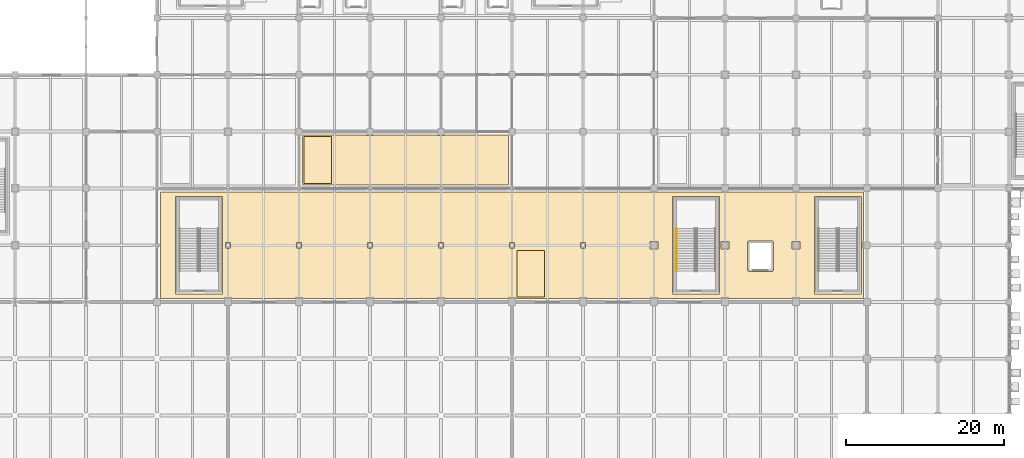
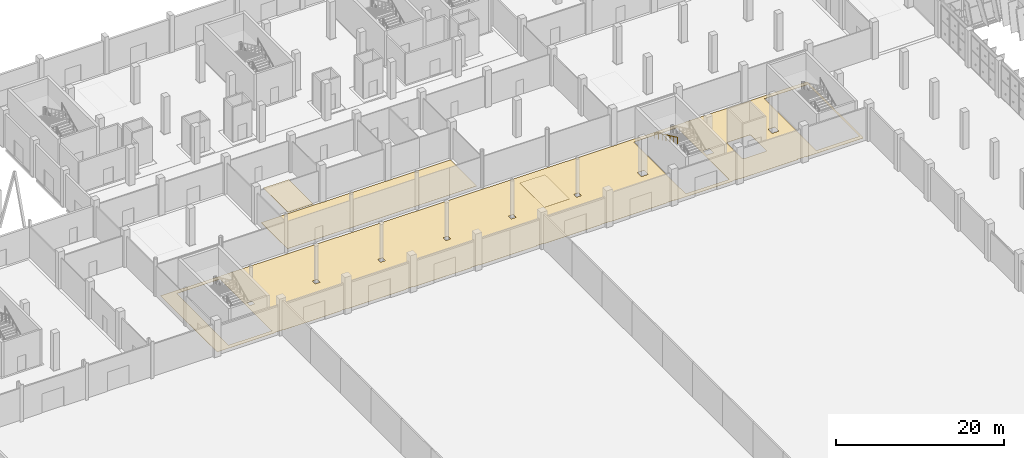
# One storey, part 112 of 137: 4 coverings, 1 railing.
"""IFC4 building model written with IfcOpenShell, lengths in metres."""

from ifc_helpers import new_model, si_unit, direction, frame, origin, origin_2d, place, context, subcontext, project, spatial, polyline, circle, outline, extrude, material, layer, layer_set, type_object, element, save


model = new_model("IFC4")

# Units and contexts
model_context = context("Model", 3, precision=1e-05, world=origin(), true_north=direction((0.0, 1.0)))
body_context = subcontext(model_context, "Body", "Model", "MODEL_VIEW")
ifc_project = project(units=[si_unit("LENGTHUNIT", "METRE"), si_unit("AREAUNIT", "SQUARE_METRE"), si_unit("VOLUMEUNIT", "CUBIC_METRE"), si_unit("PLANEANGLEUNIT", "RADIAN"), si_unit("MASSUNIT", "GRAM", prefix="KILO")], contexts=[model_context])

# Site, building, storey
site_placement = place(None, origin())
site = spatial("IfcSite", under=ifc_project, at=site_placement, CompositionType="ELEMENT")
building_placement = place(site_placement, origin())
building = spatial("IfcBuilding", under=site, at=building_placement, Name="Celestram Park Convention Centre", CompositionType="ELEMENT")
storey_placement = place(building_placement, origin())
storey = spatial("IfcBuildingStorey", under=building, at=storey_placement, Name="L00", CompositionType="ELEMENT", Elevation=0.0)

# Coverings
ifc_material_1 = material(Name="Perforated Acoustic Mineral-Fibre Baffle Ceiling", Category="gypsum")
ifc_layer_1 = layer(ifc_material_1, 0.0400390625)
ifc_layer_set_1 = layer_set([ifc_layer_1], Name="Perforated Acoustic Mineral-Fibre Baffle Ceiling")
covering_type_1 = type_object("IfcCoveringType", Name="ARC-COV-CLG040", PredefinedType="CEILING", material=ifc_layer_set_1)
covering_1_placement = place(storey_placement, frame((0.0, 0.0, 5.080078125)))
element("IfcCovering", 1, at=covering_1_placement, inside=storey, type_object=covering_type_1, Name="Winter-Garden Civic Concourse acoustic baffle ceiling", PredefinedType="CEILING", context=body_context, shape_type="SweptSolid", body=[
    extrude(outline(polyline([(81.64990234375, 108.64990234375), (85.14990234375, 108.64990234375), (85.14990234375, 114.550048828125), (81.64990234375, 114.550048828125), (81.64990234375, 108.64990234375)])), origin(), (0.0, 0.0, 1.0), 0.0400390625),
])
covering_2_placement = place(storey_placement, frame((0.0, 0.0, 5.080078125)))
element("IfcCovering", 2, at=covering_2_placement, inside=storey, type_object=covering_type_1, Name="Concourse Delegate Lounge L00 acoustic baffle ceiling", PredefinedType="CEILING", context=body_context, shape_type="SweptSolid", body=[
    extrude(outline(polyline([(54.64990234375, 123.050048828125), (58.14990234375, 123.050048828125), (58.14990234375, 128.949951171875), (54.64990234375, 128.949951171875), (54.64990234375, 123.050048828125)])), origin(), (0.0, 0.0, 1.0), 0.0400390625),
])
ifc_material_2 = material(Name="Polished Lakefront Aggregate Terrazzo Flooring", Category="concrete")
ifc_layer_2 = layer(ifc_material_2, 0.02001953125)
ifc_layer_set_2 = layer_set([ifc_layer_2], Name="Polished Lakefront Aggregate Terrazzo Flooring")
covering_type_2 = type_object("IfcCoveringType", Name="ARC-COV-FLR020", PredefinedType="FLOORING", material=ifc_layer_set_2)
covering_3_placement = place(storey_placement, origin())
element("IfcCovering", 3, at=covering_3_placement, inside=storey, type_object=covering_type_2, Name="Winter-Garden Civic Concourse terrazzo flooring", PredefinedType="FLOORING", context=body_context, shape_type="SweptSolid", body=[
    extrude(outline(polyline([(98.52197265625, 121.949951171875), (98.52197265625, 121.922119140625), (99.47802734375, 121.922119140625), (99.47802734375, 121.949951171875), (107.52197265625, 121.949951171875), (107.52197265625, 121.922119140625), (108.47802734375, 121.922119140625), (108.47802734375, 121.949951171875), (116.52197265625, 121.949951171875), (116.52197265625, 121.922119140625), (117.47802734375, 121.922119140625), (117.47802734375, 121.949951171875), (125.52197265625, 121.949951171875), (125.52197265625, 121.922119140625), (125.550048828125, 121.922119140625), (125.550048828125, 115.677978515625), (125.52197265625, 115.677978515625), (125.52197265625, 114.721923828125), (125.550048828125, 114.721923828125), (125.550048828125, 108.528076171875), (125.471923828125, 108.528076171875), (125.471923828125, 108.449951171875), (117.528076171875, 108.449951171875), (117.528076171875, 108.528076171875), (116.471923828125, 108.528076171875), (116.471923828125, 108.449951171875), (108.528076171875, 108.449951171875), (108.528076171875, 108.528076171875), (107.471923828125, 108.528076171875), (107.471923828125, 108.449951171875), (99.528076171875, 108.449951171875), (99.528076171875, 108.528076171875), (98.471923828125, 108.528076171875), (98.471923828125, 108.449951171875), (90.528076171875, 108.449951171875), (90.528076171875, 108.528076171875), (89.471923828125, 108.528076171875), (89.471923828125, 108.449951171875), (81.528076171875, 108.449951171875), (81.528076171875, 108.528076171875), (80.471923828125, 108.528076171875), (80.471923828125, 108.449951171875), (72.528076171875, 108.449951171875), (72.528076171875, 108.528076171875), (71.471923828125, 108.528076171875), (71.471923828125, 108.449951171875), (63.528076171875, 108.449951171875), (63.528076171875, 108.528076171875), (62.471923828125, 108.528076171875), (62.471923828125, 108.449951171875), (54.528076171875, 108.449951171875), (54.528076171875, 108.528076171875), (53.471923828125, 108.528076171875), (53.471923828125, 108.449951171875), (45.528076171875, 108.449951171875), (45.528076171875, 108.528076171875), (44.471923828125, 108.528076171875), (44.471923828125, 108.449951171875), (36.528076171875, 108.449951171875), (36.528076171875, 108.528076171875), (36.449951171875, 108.528076171875), (36.449951171875, 121.949951171875), (98.52197265625, 121.949951171875)]), holes=[polyline([(110.991943359375, 115.741455078125), (110.973388671875, 115.73486328125), (110.955810546875, 115.726318359375), (110.93896484375, 115.71630859375), (110.923095703125, 115.70458984375), (110.90869140625, 115.69140625), (110.8955078125, 115.677001953125), (110.8837890625, 115.6611328125), (110.87353515625, 115.644287109375), (110.865234375, 115.62646484375), (110.858642578125, 115.608154296875), (110.853759765625, 115.589111328125), (110.85107421875, 115.569580078125), (110.85009765625, 115.550048828125), (110.85009765625, 112.050048828125), (110.85107421875, 112.030517578125), (110.853759765625, 112.010986328125), (110.858642578125, 111.991943359375), (110.865234375, 111.973388671875), (110.87353515625, 111.955810546875), (110.8837890625, 111.93896484375), (110.8955078125, 111.923095703125), (110.90869140625, 111.90869140625), (110.923095703125, 111.8955078125), (110.93896484375, 111.8837890625), (110.955810546875, 111.87353515625), (110.973388671875, 111.865234375), (110.991943359375, 111.858642578125), (111.010986328125, 111.853759765625), (111.030517578125, 111.85107421875), (111.050048828125, 111.85009765625), (113.949951171875, 111.85009765625), (113.969482421875, 111.85107421875), (113.989013671875, 111.853759765625), (114.008056640625, 111.858642578125), (114.026611328125, 111.865234375), (114.044189453125, 111.87353515625), (114.06103515625, 111.8837890625), (114.076904296875, 111.8955078125), (114.09130859375, 111.90869140625), (114.1044921875, 111.923095703125), (114.1162109375, 111.93896484375), (114.12646484375, 111.955810546875), (114.134765625, 111.973388671875), (114.141357421875, 111.991943359375), (114.146240234375, 112.010986328125), (114.14892578125, 112.030517578125), (114.14990234375, 112.050048828125), (114.14990234375, 115.550048828125), (114.14892578125, 115.569580078125), (114.146240234375, 115.589111328125), (114.141357421875, 115.608154296875), (114.134765625, 115.62646484375), (114.12646484375, 115.644287109375), (114.1162109375, 115.6611328125), (114.1044921875, 115.677001953125), (114.09130859375, 115.69140625), (114.076904296875, 115.70458984375), (114.06103515625, 115.71630859375), (114.044189453125, 115.726318359375), (114.026611328125, 115.73486328125), (114.008056640625, 115.741455078125), (113.989013671875, 115.74609375), (113.969482421875, 115.7490234375), (113.949951171875, 115.75), (111.050048828125, 115.75), (111.030517578125, 115.7490234375), (111.010986328125, 115.74609375), (110.991943359375, 115.741455078125)]), polyline([(44.300048828125, 121.39990234375), (38.340087890625, 121.39990234375), (38.340087890625, 109.0), (44.300048828125, 109.0), (44.300048828125, 121.39990234375)]), polyline([(107.300048828125, 121.39990234375), (101.340087890625, 121.39990234375), (101.340087890625, 109.0), (107.300048828125, 109.0), (107.300048828125, 121.39990234375)]), polyline([(125.300048828125, 121.39990234375), (119.340087890625, 121.39990234375), (119.340087890625, 109.0), (125.300048828125, 109.0), (125.300048828125, 121.39990234375)]), polyline([(45.330078125, 114.8701171875), (45.330078125, 115.530029296875), (44.669921875, 115.530029296875), (44.669921875, 114.8701171875), (45.330078125, 114.8701171875)]), polyline([(72.330078125, 115.530029296875), (71.669921875, 115.530029296875), (71.669921875, 114.8701171875), (72.330078125, 114.8701171875), (72.330078125, 115.530029296875)]), polyline([(63.330078125, 114.8701171875), (63.330078125, 115.530029296875), (62.669921875, 115.530029296875), (62.669921875, 114.8701171875), (63.330078125, 114.8701171875)]), polyline([(81.330078125, 114.8701171875), (81.330078125, 115.530029296875), (80.669921875, 115.530029296875), (80.669921875, 114.8701171875), (81.330078125, 114.8701171875)]), polyline([(54.330078125, 115.530029296875), (53.669921875, 115.530029296875), (53.669921875, 114.8701171875), (54.330078125, 114.8701171875), (54.330078125, 115.530029296875)]), polyline([(99.47802734375, 114.721923828125), (99.47802734375, 115.677978515625), (98.52197265625, 115.677978515625), (98.52197265625, 114.721923828125), (99.47802734375, 114.721923828125)]), polyline([(117.47802734375, 115.677978515625), (116.52197265625, 115.677978515625), (116.52197265625, 114.721923828125), (117.47802734375, 114.721923828125), (117.47802734375, 115.677978515625)]), polyline([(90.330078125, 115.530029296875), (89.669921875, 115.530029296875), (89.669921875, 114.8701171875), (90.330078125, 114.8701171875), (90.330078125, 115.530029296875)]), polyline([(108.47802734375, 114.721923828125), (108.47802734375, 115.677978515625), (107.52197265625, 115.677978515625), (107.52197265625, 114.721923828125), (108.47802734375, 114.721923828125)])]), origin(), (0.0, 0.0, 1.0), 0.02001953125),
])
covering_4_placement = place(storey_placement, origin())
element("IfcCovering", 4, at=covering_4_placement, inside=storey, type_object=covering_type_2, Name="Concourse Delegate Lounge L00 terrazzo flooring", PredefinedType="FLOORING", context=body_context, shape_type="SweptSolid", body=[
    extrude(outline(polyline([(62.52197265625, 129.14990234375), (62.52197265625, 129.1220703125), (63.47802734375, 129.1220703125), (63.47802734375, 129.14990234375), (71.52197265625, 129.14990234375), (71.52197265625, 129.1220703125), (72.47802734375, 129.1220703125), (72.47802734375, 129.14990234375), (80.52197265625, 129.14990234375), (80.52197265625, 129.1220703125), (80.550048828125, 129.1220703125), (80.550048828125, 122.85009765625), (54.449951171875, 122.85009765625), (54.449951171875, 129.1220703125), (54.47802734375, 129.1220703125), (54.47802734375, 129.14990234375), (62.52197265625, 129.14990234375)])), origin(), (0.0, 0.0, 1.0), 0.02001953125),
])

# Railing
ifc_material_3 = material(Name="Brushed Stainless Steel AISI 304", Category="steel")
ifc_layer_3 = layer(ifc_material_3, 0.048095703125)
ifc_layer_set_3 = layer_set([ifc_layer_3], Name="Brushed Stainless Steel AISI 304")
railing_type = type_object("IfcRailingType", Name="ARC-RL-HND915", PredefinedType="HANDRAIL", material=ifc_layer_set_3)
railing_placement = place(storey_placement, frame((101.8759765625, 117.340087890625, 2.85009765625)))
element("IfcRailing", 5, at=railing_placement, inside=storey, type_object=railing_type, Name="L00 ST-03 stair handrail 2", PredefinedType="HANDRAIL", context=body_context, shape_type="SweptSolid", body=[
    extrude(circle(Radius=0.02392578125, at=origin_2d()), frame((0.0, 0.0, 0.8759765625), z_axis=(0.0, -0.90547699167, 0.424395355248), x_axis=(1.0, 0.0, 0.0)), (0.0, 0.0, 1.0), 6.008056640625),
    extrude(circle(Radius=0.02099609375, at=origin_2d()), origin(), (0.0, 0.0, 1.0), 0.851806640625),
    extrude(circle(Radius=0.02099609375, at=origin_2d()), frame((0.0, -0.90673828125, 0.425048828125)), (0.0, 0.0, 1.0), 0.851806640625),
    extrude(circle(Radius=0.02099609375, at=origin_2d()), frame((0.0, -1.8134765625, 0.849853515625)), (0.0, 0.0, 1.0), 0.851806640625),
    extrude(circle(Radius=0.02099609375, at=origin_2d()), frame((0.0, -2.72021484375, 1.27490234375)), (0.0, 0.0, 1.0), 0.851806640625),
    extrude(circle(Radius=0.02099609375, at=origin_2d()), frame((0.0, -3.626708984375, 1.699951171875)), (0.0, 0.0, 1.0), 0.851806640625),
    extrude(circle(Radius=0.02099609375, at=origin_2d()), frame((0.0, -4.533447265625, 2.124755859375)), (0.0, 0.0, 1.0), 0.851806640625),
    extrude(circle(Radius=0.02099609375, at=origin_2d()), frame((0.0, -5.440185546875, 2.5498046875)), (0.0, 0.0, 1.0), 0.851806640625),
])

save(model, "model.ifc")
